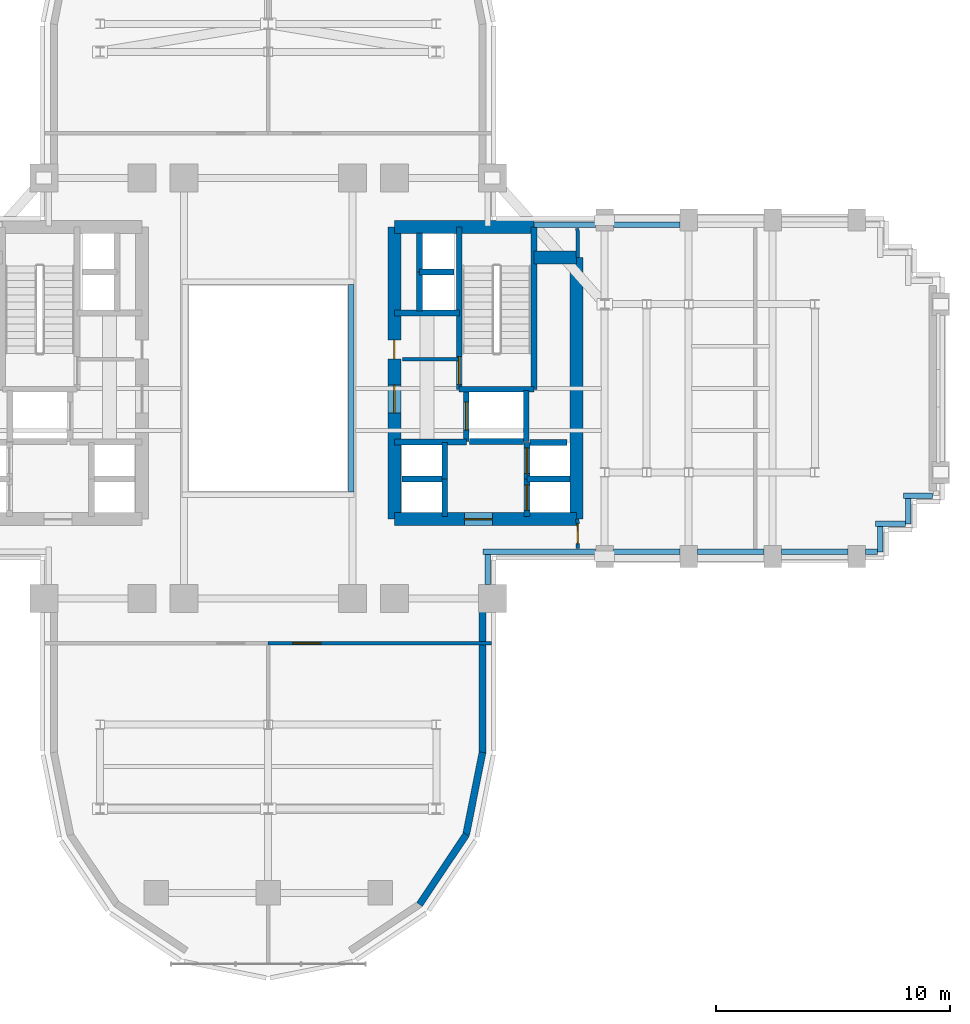
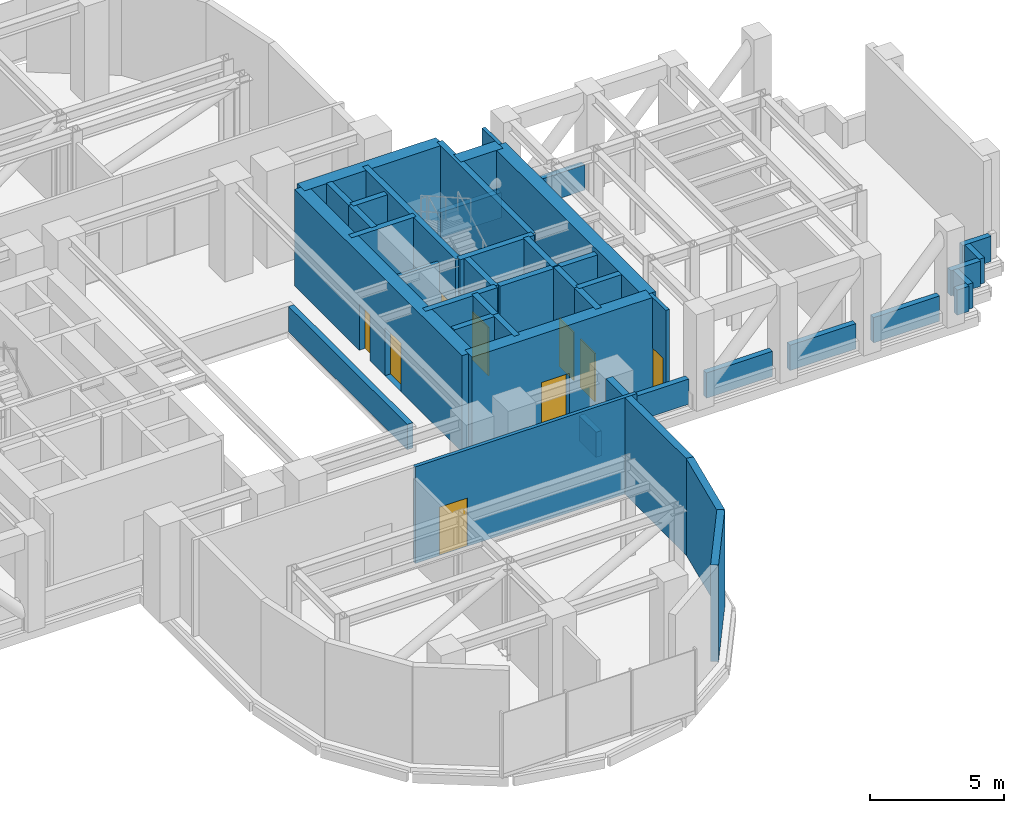
# One storey, part 10 of 15: 43 walls, 9 doors, 9 openings.
"""IFC4 building model written with IfcOpenShell, lengths in metres."""

from ifc_helpers import new_model, si_unit, direction, frame, frame_2d, origin, place, context, subcontext, project, spatial, rectangle, extrude, source, transform, mapped, material, layer, layer_set, type_object, element, fill, save


model = new_model("IFC4")

# Units and contexts
model_context = context("Model", 3, precision=1e-05, world=origin(), true_north=direction((0.0, 1.0)))
body_context = subcontext(model_context, "Body", "Model", "MODEL_VIEW")
ifc_project = project(units=[si_unit("LENGTHUNIT", "METRE"), si_unit("AREAUNIT", "SQUARE_METRE"), si_unit("VOLUMEUNIT", "CUBIC_METRE"), si_unit("PLANEANGLEUNIT", "RADIAN"), si_unit("MASSUNIT", "GRAM", prefix="KILO")], contexts=[model_context])

# Site, building, storey
site_placement = place(None, origin())
site = spatial("IfcSite", under=ifc_project, at=site_placement, CompositionType="ELEMENT")
building_placement = place(site_placement, origin())
building = spatial("IfcBuilding", under=site, at=building_placement, Name="Keilestroom Media Tower", CompositionType="ELEMENT")
storey_placement = place(building_placement, frame((0.0, 0.0, 88.39990234375)))
storey = spatial("IfcBuildingStorey", under=building, at=storey_placement, Name="L23", CompositionType="ELEMENT", Elevation=88.39990234375)

# Walls
ifc_material_1 = material(Name="Precast concrete C40/50", Category="concrete")
ifc_layer_1 = layer(ifc_material_1, 0.300048828125)
ifc_layer_set_1 = layer_set([ifc_layer_1], Name="Precast concrete C40/50")
wall_type_1 = type_object("IfcWallType", Name="Exterior-Masonry-Spandrel-Wall-300", PredefinedType="SOLIDWALL", material=ifc_layer_set_1)
for number, where, z_axis, x_axis, name in (
    (1, (6.47705078125, -22.097900390625, 0.0), (0.0, 0.0, 1.0), (0.555574187116, 0.831466970246, 0.0), "L23 Plant Lobe Masonry Wall 14"),
    (2, (8.470703125, -19.12451171875, 0.0), (0.0, 0.0, 1.0), (0.195114232679, 0.980780523974, 0.0), "L23 Plant Lobe Masonry Wall 15"),
):
    element("IfcWall", number, at=place(storey_placement, frame(where, z_axis=z_axis, x_axis=x_axis)), inside=storey, type_object=wall_type_1, Name=name, PredefinedType="SOLIDWALL", context=body_context, shape_type="SweptSolid", body=[
        extrude(rectangle(XDim=3.608642578125, YDim=0.300048828125, at=frame_2d((1.80419921875, 0.0))), origin(), (0.0, 0.0, 1.0), 4.400146484375),
    ])
wall_1_placement = place(storey_placement, frame((9.171875, -15.6298828125, 0.0), z_axis=(0.0, 0.0, 1.0), x_axis=(0.0, 1.0, 0.0)))
element("IfcWall", 3, at=wall_1_placement, inside=storey, type_object=wall_type_1, Name="L23 Plant Lobe Masonry Wall 16", PredefinedType="SOLIDWALL", context=body_context, shape_type="SweptSolid", body=[
    extrude(rectangle(XDim=6.061767578125, YDim=0.300048828125, at=frame_2d((3.03076171875, 0.0))), origin(), (0.0, 0.0, 1.0), 4.400146484375),
])
ifc_material_2 = material(Name="Gypsum Plasterboard & Steel Stud", Category="steel")
ifc_layer_2 = layer(ifc_material_2, 0.14990234375)
ifc_layer_set_2 = layer_set([ifc_layer_2], Name="Gypsum Plasterboard & Steel Stud")
wall_type_2 = type_object("IfcWallType", Name="Interior-Partition-Wall-150", PredefinedType="PARTITIONING", material=ifc_layer_set_2)
wall_2_placement = place(storey_placement, frame((5.75, 1.239990234375, 0.0), z_axis=(0.0, 0.0, 1.0), x_axis=(1.0, 0.0, 0.0)))
element("IfcWall", 4, at=wall_2_placement, inside=storey, type_object=wall_type_2, Name="L23 Interior Wall WP-L23-FFE-TOP", PredefinedType="PARTITIONING", context=body_context, shape_type="SweptSolid", body=[
    extrude(rectangle(XDim=2.389892578125, YDim=0.14990234375, at=frame_2d((1.19482421875, 0.0))), origin(), (0.0, 0.0, 1.0), 3.5),
])

# Wall, opening, door
wall_3_placement = place(storey_placement, frame((13.260009765625, -6.85009765625, 0.0), z_axis=(0.0, 0.0, 1.0), x_axis=(-0.016013571389, 0.999871774545, 0.0)))
wall_3 = element("IfcWall", 5, at=wall_3_placement, inside=storey, type_object=wall_type_2, Name="L23 Interior Wall WP-L23-REF-EW", PredefinedType="PARTITIONING", context=body_context, shape_type="SweptSolid", body=[
    extrude(rectangle(XDim=1.250244140625, YDim=0.14990234375, at=frame_2d((0.625, 0.0))), origin(), (0.0, 0.0, 1.0), 4.400146484375),
])
opening_1_placement = place(wall_3_placement, frame((0.199951171875, 0.0, 0.0)))
opening_1 = element("IfcOpeningElement", 6, at=opening_1_placement, cuts=wall_3, Name="Opening DI-05", PredefinedType="OPENING", context=body_context, shape_type="SweptSolid", body=[
    extrude(rectangle(XDim=0.85009765625, YDim=2.10009765625, at=frame_2d((0.425048828125, 1.050048828125))), frame((0.0, 0.0849609375, 0.0), z_axis=(0.0, -1.0, 0.0), x_axis=(1.0, 0.0, 0.0)), (0.0, 0.0, 1.0), 0.169921875),
])
ifc_material_3 = material(Name="Moisture-Resistant Oak Leaf", Category="wood")
door_type_1 = type_object("IfcDoorType", Name="Interior-En-Suite-And-Cupboard-Door-DI-05", OperationType="NOTDEFINED", PredefinedType="DOOR", material=ifc_material_3)
shared_shape_1 = source(origin(), body_context, "Body", "SweptSolid", [
    extrude(rectangle(XDim=0.85009765625, YDim=2.10009765625, at=frame_2d((0.425048828125, 1.050048828125))), frame((0.0, 0.02490234375, 0.0), z_axis=(0.0, -1.0, 0.0), x_axis=(1.0, 0.0, 0.0)), (0.0, 0.0, 1.0), 0.050048828125),
])
door_1_placement = place(opening_1_placement, origin())
door_1 = element("IfcDoor", 7, at=door_1_placement, inside=storey, type_object=door_type_1, Name="L23 Interior Door DI-L23-DRF-ES", OperationType="SINGLE_SWING_LEFT", OverallHeight=2.10009765625, OverallWidth=0.85009765625, PredefinedType="DOOR", context=body_context, shape_type="MappedRepresentation", body=[
    mapped(shared_shape_1, transform((0.0, 0.0, 0.0), x_axis=(1.0, 0.0, 0.0), y_axis=(0.0, 1.0, 0.0), z_axis=(0.0, 0.0, 1.0), scale=1.0)),
])
fill(opening_1, door_1)

# Wall
wall_4_placement = place(storey_placement, frame((13.260009765625, 5.60009765625, 0.0), z_axis=(0.0, 0.0, 1.0), x_axis=(-0.016013571389, 0.999871774545, 0.0)))
element("IfcWall", 8, at=wall_4_placement, inside=storey, type_object=wall_type_2, Name="L23 Interior Wall WP-L23-REF-ENK", PredefinedType="PARTITIONING", context=body_context, shape_type="SweptSolid", body=[
    extrude(rectangle(XDim=1.250244140625, YDim=0.14990234375, at=frame_2d((0.625, 0.0))), origin(), (0.0, 0.0, 1.0), 4.400146484375),
])

# Wall, opening, door
wall_5_placement = place(storey_placement, frame((0.0, -10.919921875, 0.0), z_axis=(0.0, 0.0, 1.0), x_axis=(1.0, 0.0, 0.0)))
wall_5 = element("IfcWall", 9, at=wall_5_placement, inside=storey, type_object=wall_type_2, Name="L23 Interior Wall WP-L23-PL-BMSS-N", PredefinedType="PARTITIONING", context=body_context, shape_type="SweptSolid", body=[
    extrude(rectangle(XDim=9.550048828125, YDim=0.14990234375, at=frame_2d((4.77490234375, 0.0))), origin(), (0.0, 0.0, 1.0), 4.400146484375),
])
opening_2_placement = place(wall_5_placement, frame((1.050048828125, 0.0, 0.0)))
opening_2 = element("IfcOpeningElement", 10, at=opening_2_placement, cuts=wall_5, Name="Opening DI-02", PredefinedType="OPENING", context=body_context, shape_type="SweptSolid", body=[
    extrude(rectangle(XDim=1.199951171875, YDim=2.199951171875, at=frame_2d((0.60009765625, 1.10009765625))), frame((0.0, 0.0849609375, 0.0), z_axis=(0.0, -1.0, 0.0), x_axis=(1.0, 0.0, 0.0)), (0.0, 0.0, 1.0), 0.169921875),
])
ifc_material_4 = material(Name="Powder-Coated Steel Fire Leaf", Category="steel")
door_type_2 = type_object("IfcDoorType", Name="Interior-Compartment-Fire-Door-DI-02", OperationType="NOTDEFINED", PredefinedType="DOOR", material=ifc_material_4)
shared_shape_2 = source(origin(), body_context, "Body", "SweptSolid", [
    extrude(rectangle(XDim=1.199951171875, YDim=2.199951171875, at=frame_2d((0.60009765625, 1.10009765625))), frame((0.0, 0.02490234375, 0.0), z_axis=(0.0, -1.0, 0.0), x_axis=(1.0, 0.0, 0.0)), (0.0, 0.0, 1.0), 0.050048828125),
])
door_2_placement = place(opening_2_placement, origin())
door_2 = element("IfcDoor", 11, at=door_2_placement, inside=storey, type_object=door_type_2, Name="L23 Interior Door DI-L23-PL-BMSS-D", OperationType="SINGLE_SWING_LEFT", OverallHeight=2.199951171875, OverallWidth=1.199951171875, PredefinedType="DOOR", context=body_context, shape_type="MappedRepresentation", body=[
    mapped(shared_shape_2, transform((0.0, 0.0, 0.0), x_axis=(1.0, 0.0, 0.0), y_axis=(0.0, 1.0, 0.0), z_axis=(0.0, 0.0, 1.0), scale=1.0)),
])
fill(opening_2, door_2)

# Wall
ifc_material_5 = material(Name="Concrete C70/85", Category="concrete")
ifc_layer_3 = layer(ifc_material_5, 0.550048828125)
ifc_layer_set_3 = layer_set([ifc_layer_3], Name="Concrete C70/85")
wall_type_3 = type_object("IfcWallType", Name="Reinforced-Concrete-Core-Shear-Wall-550", PredefinedType="SHEAR", material=ifc_layer_set_3)
wall_6_placement = place(storey_placement, frame((13.199951171875, -5.60009765625, 0.0), z_axis=(0.0, 0.0, 1.0), x_axis=(0.0, 1.0, 0.0)))
element("IfcWall", 12, at=wall_6_placement, inside=storey, type_object=wall_type_3, Name="L23 Core Shear Wall WL-L23-CORE-E-OUT", PredefinedType="SHEAR", context=body_context, shape_type="SweptSolid", body=[
    extrude(rectangle(XDim=11.2001953125, YDim=0.550048828125, at=frame_2d((5.60009765625, 0.0))), origin(), (0.0, 0.0, 1.0), 4.400146484375),
])

# Wall, openings, doors
wall_7_placement = place(storey_placement, frame((5.39990234375, -5.60009765625, 0.0), z_axis=(0.0, 0.0, 1.0), x_axis=(0.0, 1.0, 0.0)))
wall_7 = element("IfcWall", 13, at=wall_7_placement, inside=storey, type_object=wall_type_3, Name="L23 Core Shear Wall WL-L23-CORE-E-IN", PredefinedType="SHEAR", context=body_context, shape_type="SweptSolid", body=[
    extrude(rectangle(XDim=12.5, YDim=0.550048828125, at=frame_2d((6.25, 0.0))), origin(), (0.0, 0.0, 1.0), 4.400146484375),
])
opening_3_placement = place(wall_7_placement, frame((4.550048828125, 0.0, 0.0)))
opening_3 = element("IfcOpeningElement", 14, at=opening_3_placement, cuts=wall_7, Name="Opening DI-02", PredefinedType="OPENING", context=body_context, shape_type="SweptSolid", body=[
    extrude(rectangle(XDim=1.199951171875, YDim=2.199951171875, at=frame_2d((0.60009765625, 1.10009765625))), frame((0.0, 0.28515625, 0.0), z_axis=(0.0, -1.0, 0.0), x_axis=(1.0, 0.0, 0.0)), (0.0, 0.0, 1.0), 0.570068359375),
])
opening_4_placement = place(wall_7_placement, frame((6.860107421875, 0.0, 0.0)))
opening_4 = element("IfcOpeningElement", 15, at=opening_4_placement, cuts=wall_7, Name="Opening DI-06", PredefinedType="OPENING", context=body_context, shape_type="SweptSolid", body=[
    extrude(rectangle(XDim=0.800048828125, YDim=2.10009765625, at=frame_2d((0.39990234375, 1.050048828125))), frame((0.0, 0.28515625, 0.0), z_axis=(0.0, -1.0, 0.0), x_axis=(1.0, 0.0, 0.0)), (0.0, 0.0, 1.0), 0.570068359375),
])
door_3_placement = place(opening_3_placement, origin())
door_3 = element("IfcDoor", 16, at=door_3_placement, inside=storey, type_object=door_type_2, Name="L23 E Firefighting Lobby Door", OperationType="SINGLE_SWING_LEFT", OverallHeight=2.199951171875, OverallWidth=1.199951171875, PredefinedType="DOOR", context=body_context, shape_type="MappedRepresentation", body=[
    mapped(shared_shape_2, transform((0.0, 0.0, 0.0), x_axis=(1.0, 0.0, 0.0), y_axis=(0.0, 1.0, 0.0), z_axis=(0.0, 0.0, 1.0), scale=1.0)),
])
fill(opening_3, door_3)
ifc_material_6 = material(Name="Powder-Coated Steel Service Leaf", Category="steel")
door_type_3 = type_object("IfcDoorType", Name="Interior-Riser-Access-Door-DI-06", OperationType="NOTDEFINED", PredefinedType="DOOR", material=ifc_material_6)
shared_shape_3 = source(origin(), body_context, "Body", "SweptSolid", [
    extrude(rectangle(XDim=0.800048828125, YDim=2.10009765625, at=frame_2d((0.39990234375, 1.050048828125))), frame((0.0, 0.02490234375, 0.0), z_axis=(0.0, -1.0, 0.0), x_axis=(1.0, 0.0, 0.0)), (0.0, 0.0, 1.0), 0.050048828125),
])
door_4_placement = place(opening_4_placement, origin())
door_4 = element("IfcDoor", 17, at=door_4_placement, inside=storey, type_object=door_type_3, Name="L23 East Core Telecom Door", OperationType="SINGLE_SWING_RIGHT", OverallHeight=2.10009765625, OverallWidth=0.800048828125, PredefinedType="DOOR", context=body_context, shape_type="MappedRepresentation", body=[
    mapped(shared_shape_3, transform((0.0, 0.0, 0.0), x_axis=(1.0, 0.0, 0.0), y_axis=(0.0, 1.0, 0.0), z_axis=(0.0, 0.0, 1.0), scale=1.0)),
])
fill(opening_4, door_4)

# Walls
wall_8_placement = place(storey_placement, frame((5.39990234375, 6.89990234375, 0.0), z_axis=(0.0, 0.0, 1.0), x_axis=(1.0, 0.0, 0.0)))
element("IfcWall", 18, at=wall_8_placement, inside=storey, type_object=wall_type_3, Name="L23 Core Shear Wall WL-L23-CORE-E-N", PredefinedType="SHEAR", context=body_context, shape_type="SweptSolid", body=[
    extrude(rectangle(XDim=5.981201171875, YDim=0.550048828125, at=frame_2d((2.99072265625, 0.0))), origin(), (0.0, 0.0, 1.0), 4.400146484375),
])
wall_9_placement = place(storey_placement, frame((11.381103515625, 5.60009765625, 0.0), z_axis=(0.0, 0.0, 1.0), x_axis=(1.0, 0.0, 0.0)))
element("IfcWall", 19, at=wall_9_placement, inside=storey, type_object=wall_type_3, Name="L23 Core Shear Wall WL-L23-CNE-N", PredefinedType="SHEAR", context=body_context, shape_type="SweptSolid", body=[
    extrude(rectangle(XDim=1.81884765625, YDim=0.550048828125, at=frame_2d((0.909423828125, 0.0))), origin(), (0.0, 0.0, 1.0), 4.400146484375),
])

# Wall, opening, door
wall_10_placement = place(storey_placement, frame((5.39990234375, -5.60009765625, 0.0), z_axis=(0.0, 0.0, 1.0), x_axis=(1.0, 0.0, 0.0)))
wall_10 = element("IfcWall", 20, at=wall_10_placement, inside=storey, type_object=wall_type_3, Name="L23 Core Shear Wall WL-L23-CORE-E-S", PredefinedType="SHEAR", context=body_context, shape_type="SweptSolid", body=[
    extrude(rectangle(XDim=7.800048828125, YDim=0.550048828125, at=frame_2d((3.89990234375, 0.0))), origin(), (0.0, 0.0, 1.0), 4.400146484375),
])
opening_5_placement = place(wall_10_placement, frame((3.0, 0.0, 0.0)))
opening_5 = element("IfcOpeningElement", 21, at=opening_5_placement, cuts=wall_10, Name="Opening DI-02", PredefinedType="OPENING", context=body_context, shape_type="SweptSolid", body=[
    extrude(rectangle(XDim=1.199951171875, YDim=2.199951171875, at=frame_2d((0.60009765625, 1.10009765625))), frame((0.0, 0.28515625, 0.0), z_axis=(0.0, -1.0, 0.0), x_axis=(1.0, 0.0, 0.0)), (0.0, 0.0, 1.0), 0.570068359375),
])
door_5_placement = place(opening_5_placement, origin())
door_5 = element("IfcDoor", 22, at=door_5_placement, inside=storey, type_object=door_type_2, Name="L23 E Passenger Lift Lobby Door", OperationType="SINGLE_SWING_RIGHT", OverallHeight=2.199951171875, OverallWidth=1.199951171875, PredefinedType="DOOR", context=body_context, shape_type="MappedRepresentation", body=[
    mapped(shared_shape_2, transform((0.0, 0.0, 0.0), x_axis=(1.0, 0.0, 0.0), y_axis=(0.0, 1.0, 0.0), z_axis=(0.0, 0.0, 1.0), scale=1.0)),
])
fill(opening_5, door_5)

# Walls
ifc_material_7 = material(Name="Concrete C50/60", Category="concrete")
ifc_layer_4 = layer(ifc_material_7, 0.25)
ifc_layer_set_4 = layer_set([ifc_layer_4], Name="Concrete C50/60")
wall_type_4 = type_object("IfcWallType", Name="Reinforced-Concrete-Shaft-Wall-250", PredefinedType="SOLIDWALL", material=ifc_layer_set_4)
wall_11_placement = place(storey_placement, frame((5.39990234375, 3.219970703125, 0.0), z_axis=(0.0, 0.0, 1.0), x_axis=(1.0, 0.0, 0.0)))
element("IfcWall", 23, at=wall_11_placement, inside=storey, type_object=wall_type_4, Name="L23 Core Shear Wall WL-L23-CORE-E-FFN", PredefinedType="SOLIDWALL", context=body_context, shape_type="SweptSolid", body=[
    extrude(rectangle(XDim=2.780029296875, YDim=0.25, at=frame_2d((1.39013671875, 0.0))), origin(), (0.0, 0.0, 1.0), 4.400146484375),
])
wall_12_placement = place(storey_placement, frame((5.39990234375, -2.300048828125, 0.0), z_axis=(0.0, 0.0, 1.0), x_axis=(1.0, 0.0, 0.0)))
element("IfcWall", 24, at=wall_12_placement, inside=storey, type_object=wall_type_4, Name="L23 Core Shear Wall WL-L23-CORE-E-FFS", PredefinedType="SOLIDWALL", context=body_context, shape_type="SweptSolid", body=[
    extrude(rectangle(XDim=3.080078125, YDim=0.25, at=frame_2d((1.5400390625, 0.0))), origin(), (0.0, 0.0, 1.0), 4.400146484375),
])

# Wall, opening, door
wall_13_placement = place(storey_placement, frame((8.178955078125, -0.041015625, 0.0), z_axis=(0.0, 0.0, 1.0), x_axis=(0.0, 1.0, 0.0)))
wall_13 = element("IfcWall", 25, at=wall_13_placement, inside=storey, type_object=wall_type_4, Name="L23 Core Shear Wall WL-L23-STW-E-NEAR", PredefinedType="SOLIDWALL", context=body_context, shape_type="SweptSolid", body=[
    extrude(rectangle(XDim=6.94091796875, YDim=0.25, at=frame_2d((3.470458984375, 0.0))), origin(), (0.0, 0.0, 1.0), 4.400146484375),
])
opening_6_placement = place(wall_13_placement, frame((0.199951171875, 0.0, 0.0)))
opening_6 = element("IfcOpeningElement", 26, at=opening_6_placement, cuts=wall_13, Name="Opening DI-01S", PredefinedType="OPENING", context=body_context, shape_type="SweptSolid", body=[
    extrude(rectangle(XDim=1.199951171875, YDim=2.199951171875, at=frame_2d((0.60009765625, 1.10009765625))), frame((0.0, 0.135009765625, 0.0), z_axis=(0.0, -1.0, 0.0), x_axis=(1.0, 0.0, 0.0)), (0.0, 0.0, 1.0), 0.27001953125),
])
door_type_4 = type_object("IfcDoorType", Name="Interior-Stair-And-Core-Fire-Door-DI-01", OperationType="NOTDEFINED", PredefinedType="DOOR", material=ifc_material_4)
door_6_placement = place(opening_6_placement, origin())
door_6 = element("IfcDoor", 27, at=door_6_placement, inside=storey, type_object=door_type_4, Name="L23 Escape Stair ST-2 Fire Door", OperationType="SINGLE_SWING_RIGHT", OverallHeight=2.199951171875, OverallWidth=1.199951171875, PredefinedType="DOOR", context=body_context, shape_type="MappedRepresentation", body=[
    mapped(shared_shape_2, transform((0.0, 0.0, 0.0), x_axis=(1.0, 0.0, 0.0), y_axis=(0.0, 1.0, 0.0), z_axis=(0.0, 0.0, 1.0), scale=1.0)),
])
fill(opening_6, door_6)

# Walls
wall_14_placement = place(storey_placement, frame((11.381103515625, -0.041015625, 0.0), z_axis=(0.0, 0.0, 1.0), x_axis=(0.0, 1.0, 0.0)))
element("IfcWall", 28, at=wall_14_placement, inside=storey, type_object=wall_type_4, Name="L23 Core Shear Wall WL-L23-STW-E-FAR", PredefinedType="SOLIDWALL", context=body_context, shape_type="SweptSolid", body=[
    extrude(rectangle(XDim=6.94091796875, YDim=0.25, at=frame_2d((3.470458984375, 0.0))), origin(), (0.0, 0.0, 1.0), 4.400146484375),
])
wall_15_placement = place(storey_placement, frame((8.178955078125, -0.041015625, 0.0), z_axis=(0.0, 0.0, 1.0), x_axis=(1.0, 0.0, 0.0)))
element("IfcWall", 29, at=wall_15_placement, inside=storey, type_object=wall_type_4, Name="L23 Core Shear Wall WL-L23-STW-E-S", PredefinedType="SOLIDWALL", context=body_context, shape_type="SweptSolid", body=[
    extrude(rectangle(XDim=3.2021484375, YDim=0.25, at=frame_2d((1.60107421875, 0.0))), origin(), (0.0, 0.0, 1.0), 4.400146484375),
])

# Wall, opening, door
wall_16_placement = place(storey_placement, frame((8.47998046875, -2.280029296875, 0.0), z_axis=(0.0, 0.0, 1.0), x_axis=(0.0, 1.0, 0.0)))
wall_16 = element("IfcWall", 30, at=wall_16_placement, inside=storey, type_object=wall_type_4, Name="L23 Core Shear Wall WL-L23-LSH-FFL-2-W", PredefinedType="SOLIDWALL", context=body_context, shape_type="SweptSolid", body=[
    extrude(rectangle(XDim=2.179931640625, YDim=0.25, at=frame_2d((1.08984375, 0.0))), origin(), (0.0, 0.0, 1.0), 4.400146484375),
])
opening_7_placement = place(wall_16_placement, frame((0.489990234375, 0.0, 0.0)))
opening_7 = element("IfcOpeningElement", 31, at=opening_7_placement, cuts=wall_16, Name="Opening LD-02", PredefinedType="OPENING", context=body_context, shape_type="SweptSolid", body=[
    extrude(rectangle(XDim=1.199951171875, YDim=2.199951171875, at=frame_2d((0.60009765625, 1.10009765625))), frame((0.0, 0.135009765625, 0.0), z_axis=(0.0, -1.0, 0.0), x_axis=(1.0, 0.0, 0.0)), (0.0, 0.0, 1.0), 0.27001953125),
])
ifc_material_8 = material(Name="Brushed Stainless Steel Sliding Leaf", Category="steel")
door_type_5 = type_object("IfcDoorType", Name="Lift-Landing-Sliding-Door-LD-02", OperationType="SLIDING_TO_RIGHT", PredefinedType="DOOR", material=ifc_material_8)
door_7_placement = place(opening_7_placement, origin())
door_7 = element("IfcDoor", 32, at=door_7_placement, inside=storey, type_object=door_type_5, Name="L23 Lift FFL-2 Landing Sliding Door", OperationType="SLIDING_TO_RIGHT", OverallHeight=2.199951171875, OverallWidth=1.199951171875, PredefinedType="DOOR", context=body_context, shape_type="MappedRepresentation", body=[
    mapped(shared_shape_2, transform((0.0, 0.0, 0.0), x_axis=(1.0, 0.0, 0.0), y_axis=(0.0, 1.0, 0.0), z_axis=(0.0, 0.0, 1.0), scale=1.0)),
])
fill(opening_7, door_7)

# Walls
wall_17_placement = place(storey_placement, frame((11.050048828125, -2.280029296875, 0.0), z_axis=(0.0, 0.0, 1.0), x_axis=(0.0, 1.0, 0.0)))
element("IfcWall", 33, at=wall_17_placement, inside=storey, type_object=wall_type_4, Name="L23 Core Shear Wall WL-L23-LSH-FFL-2-E", PredefinedType="SOLIDWALL", context=body_context, shape_type="SweptSolid", body=[
    extrude(rectangle(XDim=2.179931640625, YDim=0.25, at=frame_2d((1.08984375, 0.0))), origin(), (0.0, 0.0, 1.0), 4.400146484375),
])
wall_18_placement = place(storey_placement, frame((8.60888671875, -2.280029296875, 0.0), z_axis=(0.0, 0.0, 1.0), x_axis=(1.0, 0.0, 0.0)))
element("IfcWall", 34, at=wall_18_placement, inside=storey, type_object=wall_type_4, Name="L23 Core Shear Wall WL-L23-LSH-FFL-2-S", PredefinedType="SOLIDWALL", context=body_context, shape_type="SweptSolid", body=[
    extrude(rectangle(XDim=2.31201171875, YDim=0.25, at=frame_2d((1.156005859375, 0.0))), origin(), (0.0, 0.0, 1.0), 4.400146484375),
])

# Wall, opening, door
wall_19_placement = place(storey_placement, frame((11.080078125, -5.47998046875, 0.0), z_axis=(0.0, 0.0, 1.0), x_axis=(0.0, 1.0, 0.0)))
wall_19 = element("IfcWall", 35, at=wall_19_placement, inside=storey, type_object=wall_type_4, Name="L23 Core Shear Wall WL-L23-LSH-PL-L3-W", PredefinedType="SOLIDWALL", context=body_context, shape_type="SweptSolid", body=[
    extrude(rectangle(XDim=1.60009765625, YDim=0.25, at=frame_2d((0.800048828125, 0.0))), origin(), (0.0, 0.0, 1.0), 4.400146484375),
])
opening_8_placement = place(wall_19_placement, frame((0.25, 0.0, 0.0)))
opening_8 = element("IfcOpeningElement", 36, at=opening_8_placement, cuts=wall_19, Name="Opening LD-01", PredefinedType="OPENING", context=body_context, shape_type="SweptSolid", body=[
    extrude(rectangle(XDim=1.10009765625, YDim=2.199951171875, at=frame_2d((0.550048828125, 1.10009765625))), frame((0.0, 0.135009765625, 0.0), z_axis=(0.0, -1.0, 0.0), x_axis=(1.0, 0.0, 0.0)), (0.0, 0.0, 1.0), 0.27001953125),
])
door_type_6 = type_object("IfcDoorType", Name="Lift-Landing-Sliding-Door-LD-01", OperationType="SLIDING_TO_LEFT", PredefinedType="DOOR", material=ifc_material_8)
shared_shape_4 = source(origin(), body_context, "Body", "SweptSolid", [
    extrude(rectangle(XDim=1.10009765625, YDim=2.199951171875, at=frame_2d((0.550048828125, 1.10009765625))), frame((0.0, 0.02490234375, 0.0), z_axis=(0.0, -1.0, 0.0), x_axis=(1.0, 0.0, 0.0)), (0.0, 0.0, 1.0), 0.050048828125),
])
door_8_placement = place(opening_8_placement, origin())
door_8 = element("IfcDoor", 37, at=door_8_placement, inside=storey, type_object=door_type_6, Name="L23 Lift PL-L3 Landing Sliding Door", OperationType="SLIDING_TO_LEFT", OverallHeight=2.199951171875, OverallWidth=1.10009765625, PredefinedType="DOOR", context=body_context, shape_type="MappedRepresentation", body=[
    mapped(shared_shape_4, transform((0.0, 0.0, 0.0), x_axis=(1.0, 0.0, 0.0), y_axis=(0.0, 1.0, 0.0), z_axis=(0.0, 0.0, 1.0), scale=1.0)),
])
fill(opening_8, door_8)

# Wall
wall_20_placement = place(storey_placement, frame((11.080078125, -3.8798828125, 0.0), z_axis=(0.0, 0.0, 1.0), x_axis=(1.0, 0.0, 0.0)))
element("IfcWall", 38, at=wall_20_placement, inside=storey, type_object=wall_type_4, Name="L23 Core Shear Wall WL-L23-LSH-PL-L3-N", PredefinedType="SOLIDWALL", context=body_context, shape_type="SweptSolid", body=[
    extrude(rectangle(XDim=1.83984375, YDim=0.25, at=frame_2d((0.919921875, 0.0))), origin(), (0.0, 0.0, 1.0), 4.400146484375),
])

# Wall, opening, door
wall_21_placement = place(storey_placement, frame((11.080078125, -3.8798828125, 0.0), z_axis=(0.0, 0.0, 1.0), x_axis=(0.0, 1.0, 0.0)))
wall_21 = element("IfcWall", 39, at=wall_21_placement, inside=storey, type_object=wall_type_4, Name="L23 Core Shear Wall WL-L23-LSH-PL-L4-W", PredefinedType="SOLIDWALL", context=body_context, shape_type="SweptSolid", body=[
    extrude(rectangle(XDim=1.559814453125, YDim=0.25, at=frame_2d((0.77978515625, 0.0))), origin(), (0.0, 0.0, 1.0), 4.400146484375),
])
opening_9_placement = place(wall_21_placement, frame((0.22998046875, 0.0, 0.0)))
opening_9 = element("IfcOpeningElement", 40, at=opening_9_placement, cuts=wall_21, Name="Opening LD-01", PredefinedType="OPENING", context=body_context, shape_type="SweptSolid", body=[
    extrude(rectangle(XDim=1.10009765625, YDim=2.199951171875, at=frame_2d((0.550048828125, 1.10009765625))), frame((0.0, 0.135009765625, 0.0), z_axis=(0.0, -1.0, 0.0), x_axis=(1.0, 0.0, 0.0)), (0.0, 0.0, 1.0), 0.27001953125),
])
door_9_placement = place(opening_9_placement, origin())
door_9 = element("IfcDoor", 41, at=door_9_placement, inside=storey, type_object=door_type_6, Name="L23 Lift PL-L4 Landing Sliding Door", OperationType="SLIDING_TO_LEFT", OverallHeight=2.199951171875, OverallWidth=1.10009765625, PredefinedType="DOOR", context=body_context, shape_type="MappedRepresentation", body=[
    mapped(shared_shape_4, transform((0.0, 0.0, 0.0), x_axis=(1.0, 0.0, 0.0), y_axis=(0.0, 1.0, 0.0), z_axis=(0.0, 0.0, 1.0), scale=1.0)),
])
fill(opening_9, door_9)

# Walls
wall_22_placement = place(storey_placement, frame((11.208984375, -2.320068359375, 0.0), z_axis=(0.0, 0.0, 1.0), x_axis=(1.0, 0.0, 0.0)))
element("IfcWall", 42, at=wall_22_placement, inside=storey, type_object=wall_type_4, Name="L23 Core Shear Wall WL-L23-LSH-PL-L4-N", PredefinedType="SOLIDWALL", context=body_context, shape_type="SweptSolid", body=[
    extrude(rectangle(XDim=1.58203125, YDim=0.25, at=frame_2d((0.791015625, 0.0))), origin(), (0.0, 0.0, 1.0), 4.400146484375),
])
wall_23_placement = place(storey_placement, frame((7.56005859375, -5.47998046875, 0.0), z_axis=(0.0, 0.0, 1.0), x_axis=(0.0, 1.0, 0.0)))
element("IfcWall", 43, at=wall_23_placement, inside=storey, type_object=wall_type_4, Name="L23 Core Shear Wall WL-L23-LSH-PL-M3-E", PredefinedType="SOLIDWALL", context=body_context, shape_type="SweptSolid", body=[
    extrude(rectangle(XDim=1.60009765625, YDim=0.25, at=frame_2d((0.800048828125, 0.0))), origin(), (0.0, 0.0, 1.0), 4.400146484375),
])
wall_24_placement = place(storey_placement, frame((5.719970703125, -3.8798828125, 0.0), z_axis=(0.0, 0.0, 1.0), x_axis=(1.0, 0.0, 0.0)))
element("IfcWall", 44, at=wall_24_placement, inside=storey, type_object=wall_type_4, Name="L23 Core Shear Wall WL-L23-LSH-PL-M3-N", PredefinedType="SOLIDWALL", context=body_context, shape_type="SweptSolid", body=[
    extrude(rectangle(XDim=1.840087890625, YDim=0.25, at=frame_2d((0.919921875, 0.0))), origin(), (0.0, 0.0, 1.0), 4.400146484375),
])
wall_25_placement = place(storey_placement, frame((7.56005859375, -3.8798828125, 0.0), z_axis=(0.0, 0.0, 1.0), x_axis=(0.0, 1.0, 0.0)))
element("IfcWall", 45, at=wall_25_placement, inside=storey, type_object=wall_type_4, Name="L23 Core Shear Wall WL-L23-LSH-PL-M4-E", PredefinedType="SOLIDWALL", context=body_context, shape_type="SweptSolid", body=[
    extrude(rectangle(XDim=1.559814453125, YDim=0.25, at=frame_2d((0.77978515625, 0.0))), origin(), (0.0, 0.0, 1.0), 4.400146484375),
])
wall_26_placement = place(storey_placement, frame((6.47998046875, 3.300048828125, 0.0), z_axis=(0.0, 0.0, 1.0), x_axis=(0.0, 1.0, 0.0)))
element("IfcWall", 46, at=wall_26_placement, inside=storey, type_object=wall_type_4, Name="L23 Core Shear Wall WL-L23-LSH-PL-H3-W", PredefinedType="SOLIDWALL", context=body_context, shape_type="SweptSolid", body=[
    extrude(rectangle(XDim=1.679931640625, YDim=0.25, at=frame_2d((0.83984375, 0.0))), origin(), (0.0, 0.0, 1.0), 4.400146484375),
])
wall_27_placement = place(storey_placement, frame((6.47998046875, 4.97998046875, 0.0), z_axis=(0.0, 0.0, 1.0), x_axis=(1.0, 0.0, 0.0)))
element("IfcWall", 47, at=wall_27_placement, inside=storey, type_object=wall_type_4, Name="L23 Core Shear Wall WL-L23-LSH-PL-H3-N", PredefinedType="SOLIDWALL", context=body_context, shape_type="SweptSolid", body=[
    extrude(rectangle(XDim=1.469970703125, YDim=0.25, at=frame_2d((0.73486328125, 0.0))), origin(), (0.0, 0.0, 1.0), 4.400146484375),
])
wall_28_placement = place(storey_placement, frame((6.47998046875, 4.97998046875, 0.0), z_axis=(0.0, 0.0, 1.0), x_axis=(0.0, 1.0, 0.0)))
element("IfcWall", 48, at=wall_28_placement, inside=storey, type_object=wall_type_4, Name="L23 Core Shear Wall WL-L23-LSH-PL-H4-W", PredefinedType="SOLIDWALL", context=body_context, shape_type="SweptSolid", body=[
    extrude(rectangle(XDim=1.669921875, YDim=0.25, at=frame_2d((0.8349609375, 0.0))), origin(), (0.0, 0.0, 1.0), 4.400146484375),
])
ifc_layer_5 = layer(ifc_material_1, 0.239990234375)
ifc_layer_set_5 = layer_set([ifc_layer_5], Name="Precast concrete C40/50")
wall_type_5 = type_object("IfcWallType", Name="Roof-And-Terrace-Parapet-Wall-240", PredefinedType="PARAPET", material=ifc_layer_set_5)
wall_29_placement = place(storey_placement, frame((28.428955078125, -4.60009765625, 0.0), z_axis=(0.0, 0.0, 1.0), x_axis=(-1.0, 0.0, 0.0)))
element("IfcWall", 49, at=wall_29_placement, inside=storey, type_object=wall_type_5, Name="L23 Perimeter Edge Parapet Wall 01", PredefinedType="PARAPET", context=body_context, shape_type="SweptSolid", body=[
    extrude(rectangle(XDim=1.22900390625, YDim=0.239990234375, at=frame_2d((0.614501953125, 0.0))), origin(), (0.0, 0.0, 1.0), 1.150146484375),
])
wall_30_placement = place(storey_placement, frame((27.39990234375, -4.722900390625, 0.0), z_axis=(0.0, 0.0, 1.0), x_axis=(0.0, -1.0, 0.0)))
element("IfcWall", 50, at=wall_30_placement, inside=storey, type_object=wall_type_5, Name="L23 Perimeter Edge Parapet Wall 02", PredefinedType="PARAPET", context=body_context, shape_type="SweptSolid", body=[
    extrude(rectangle(XDim=1.0771484375, YDim=0.239990234375, at=frame_2d((0.53857421875, 0.0))), origin(), (0.0, 0.0, 1.0), 1.150146484375),
])
wall_31_placement = place(storey_placement, frame((27.277099609375, -5.800048828125, 0.0), z_axis=(0.0, 0.0, 1.0), x_axis=(-1.0, 0.0, 0.0)))
element("IfcWall", 51, at=wall_31_placement, inside=storey, type_object=wall_type_5, Name="L23 Perimeter Edge Parapet Wall 03", PredefinedType="PARAPET", context=body_context, shape_type="SweptSolid", body=[
    extrude(rectangle(XDim=1.277099609375, YDim=0.239990234375, at=frame_2d((0.638671875, 0.0))), origin(), (0.0, 0.0, 1.0), 1.150146484375),
])
wall_32_placement = place(storey_placement, frame((26.199951171875, -5.923095703125, 0.0), z_axis=(0.0, 0.0, 1.0), x_axis=(0.0, -1.0, 0.0)))
element("IfcWall", 52, at=wall_32_placement, inside=storey, type_object=wall_type_5, Name="L23 Perimeter Edge Parapet Wall 04", PredefinedType="PARAPET", context=body_context, shape_type="SweptSolid", body=[
    extrude(rectangle(XDim=1.076904296875, YDim=0.239990234375, at=frame_2d((0.53857421875, 0.0))), origin(), (0.0, 0.0, 1.0), 1.150146484375),
])
wall_33_placement = place(storey_placement, frame((26.076904296875, -7.0, 0.0), z_axis=(0.0, 0.0, 1.0), x_axis=(-1.0, 0.0, 0.0)))
element("IfcWall", 53, at=wall_33_placement, inside=storey, type_object=wall_type_5, Name="L23 Perimeter Edge Parapet Wall 05", PredefinedType="PARAPET", context=body_context, shape_type="SweptSolid", body=[
    extrude(rectangle(XDim=0.4990234375, YDim=0.239990234375, at=frame_2d((0.24951171875, 0.0))), origin(), (0.0, 0.0, 1.0), 1.150146484375),
])
for number, where, z_axis, x_axis, name in (
    (54, (24.822021484375, -7.0, 0.0), (0.0, 0.0, 1.0), (-1.0, 0.0, 0.0), "L23 Perimeter Edge Parapet Wall 06"),
    (55, (21.221923828125, -7.0, 0.0), (0.0, 0.0, 1.0), (-1.0, 0.0, 0.0), "L23 Perimeter Edge Parapet Wall 07"),
    (56, (17.6220703125, -7.0, 0.0), (0.0, 0.0, 1.0), (-1.0, 0.0, 0.0), "L23 Perimeter Edge Parapet Wall 08"),
):
    element("IfcWall", number, at=place(storey_placement, frame(where, z_axis=z_axis, x_axis=x_axis)), inside=storey, type_object=wall_type_5, Name=name, PredefinedType="PARAPET", context=body_context, shape_type="SweptSolid", body=[
        extrude(rectangle(XDim=2.843994140625, YDim=0.239990234375, at=frame_2d((1.421875, 0.0))), origin(), (0.0, 0.0, 1.0), 1.150146484375),
    ])
wall_34_placement = place(storey_placement, frame((14.02197265625, -7.0, 0.0), z_axis=(0.0, 0.0, 1.0), x_axis=(-1.0, 0.0, 0.0)))
element("IfcWall", 57, at=wall_34_placement, inside=storey, type_object=wall_type_5, Name="L23 Perimeter Edge Parapet Wall 09", PredefinedType="PARAPET", context=body_context, shape_type="SweptSolid", body=[
    extrude(rectangle(XDim=4.822021484375, YDim=0.239990234375, at=frame_2d((2.4111328125, 0.0))), origin(), (0.0, 0.0, 1.0), 1.150146484375),
])
wall_35_placement = place(storey_placement, frame((9.39990234375, -7.123046875, 0.0), z_axis=(0.0, 0.0, 1.0), x_axis=(0.0, -1.0, 0.0)))
element("IfcWall", 58, at=wall_35_placement, inside=storey, type_object=wall_type_5, Name="L23 Perimeter Edge Parapet Wall 10", PredefinedType="PARAPET", context=body_context, shape_type="SweptSolid", body=[
    extrude(rectangle(XDim=1.27392578125, YDim=0.239990234375, at=frame_2d((0.636962890625, 0.0))), origin(), (0.0, 0.0, 1.0), 1.150146484375),
])
wall_36_placement = place(storey_placement, frame((11.403076171875, 7.0, 0.0), z_axis=(0.0, 0.0, 1.0), x_axis=(1.0, 0.0, 0.0)))
element("IfcWall", 59, at=wall_36_placement, inside=storey, type_object=wall_type_5, Name="L23 Perimeter Edge Parapet Wall 33", PredefinedType="PARAPET", context=body_context, shape_type="SweptSolid", body=[
    extrude(rectangle(XDim=2.618896484375, YDim=0.239990234375, at=frame_2d((1.3095703125, 0.0))), origin(), (0.0, 0.0, 1.0), 1.150146484375),
])
wall_37_placement = place(storey_placement, frame((14.778076171875, 7.0, 0.0), z_axis=(0.0, 0.0, 1.0), x_axis=(1.0, 0.0, 0.0)))
element("IfcWall", 60, at=wall_37_placement, inside=storey, type_object=wall_type_5, Name="L23 Perimeter Edge Parapet Wall 34", PredefinedType="PARAPET", context=body_context, shape_type="SweptSolid", body=[
    extrude(rectangle(XDim=2.843994140625, YDim=0.239990234375, at=frame_2d((1.421875, 0.0))), origin(), (0.0, 0.0, 1.0), 1.150146484375),
])
wall_38_placement = place(storey_placement, frame((3.56005859375, -4.43505859375, 0.0), z_axis=(0.0, 0.0, 1.0), x_axis=(0.0, 1.0, 0.0)))
element("IfcWall", 61, at=wall_38_placement, inside=storey, type_object=wall_type_5, Name="L23 Central Atrium Guard Parapet E", PredefinedType="PARAPET", context=body_context, shape_type="SweptSolid", body=[
    extrude(rectangle(XDim=8.8701171875, YDim=0.239990234375, at=frame_2d((4.43505859375, 0.0))), origin(), (0.0, 0.0, 1.0), 1.150146484375),
])

save(model, "model.ifc")
